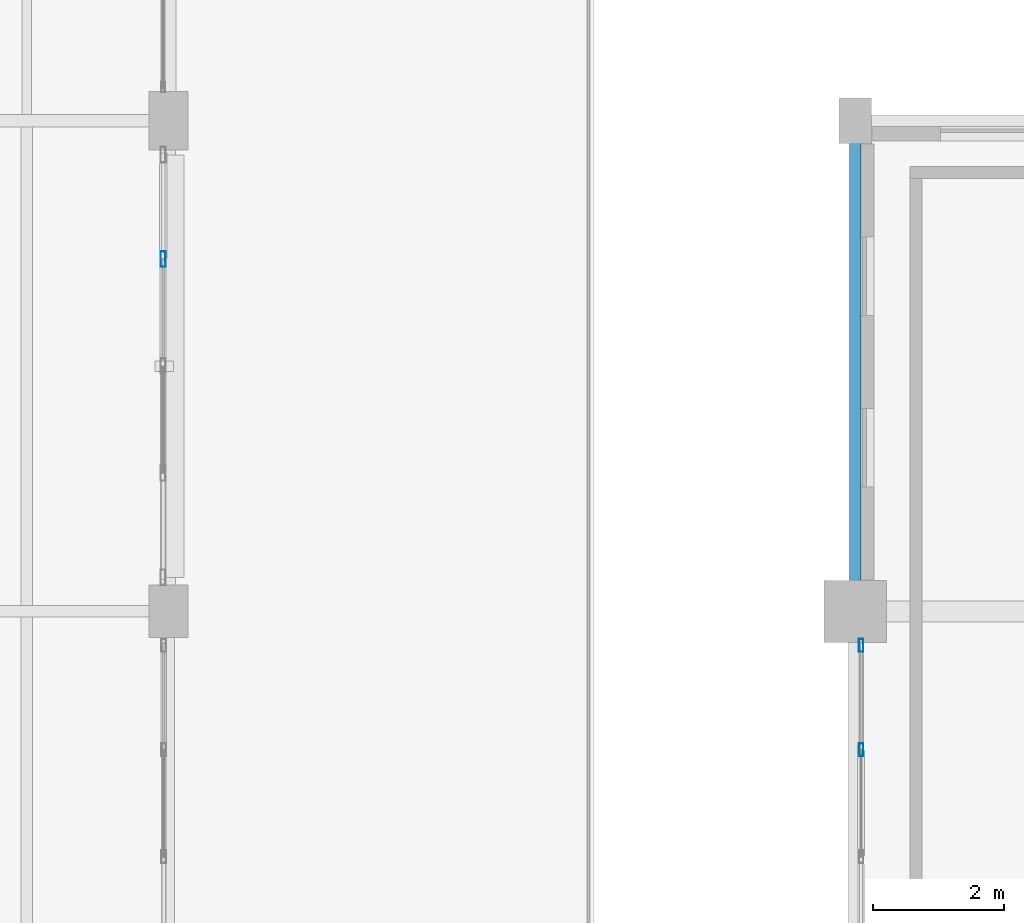
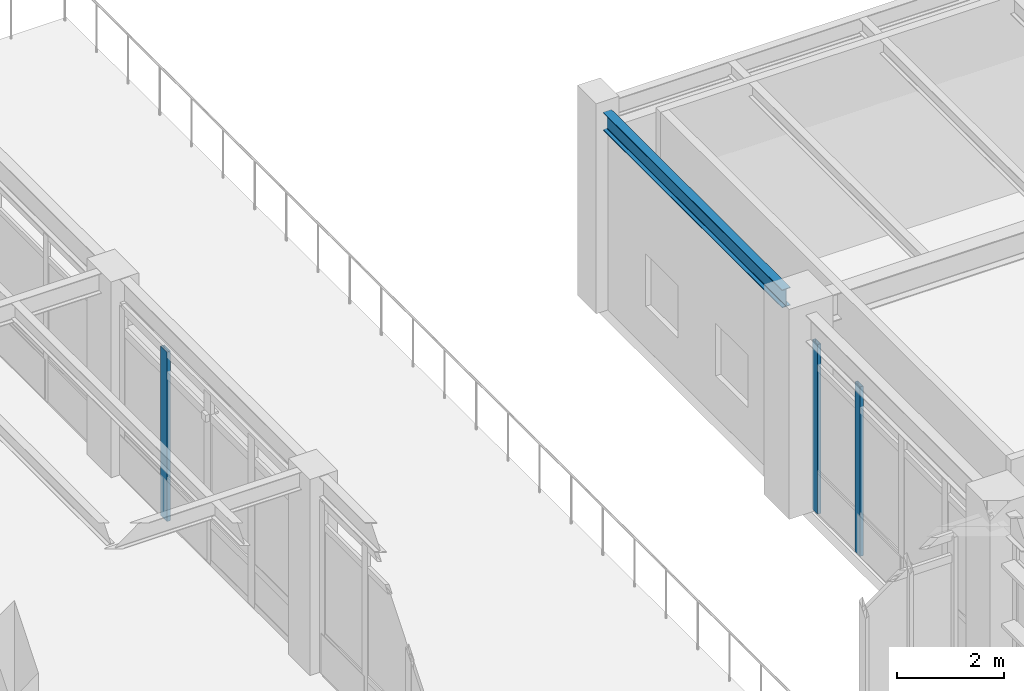
# One storey, part 126 of 200: 3 members, 1 beam, 2 elements without a shape of their own.
"""IFC4 building model written with IfcOpenShell, lengths in metres."""

from ifc_helpers import new_model, si_unit, direction, frame, origin, origin_2d, place, context, subcontext, project, spatial, hollow_rectangle, i_section, extrude, material, material_profile, profile_set, type_object, element, aggregate, save


model = new_model("IFC4")

# Units and contexts
model_context = context("Model", 3, precision=1e-05, world=origin(), true_north=direction((0.0, 1.0)))
body_context = subcontext(model_context, "Body", "Model", "MODEL_VIEW")
ifc_project = project(units=[si_unit("LENGTHUNIT", "METRE"), si_unit("AREAUNIT", "SQUARE_METRE"), si_unit("VOLUMEUNIT", "CUBIC_METRE"), si_unit("PLANEANGLEUNIT", "RADIAN"), si_unit("MASSUNIT", "GRAM", prefix="KILO"), si_unit("THERMODYNAMICTEMPERATUREUNIT", "KELVIN"), si_unit("POWERUNIT", "WATT")], contexts=[model_context])

# Site, building, storey
site_placement = place(None, origin())
site = spatial("IfcSite", under=ifc_project, at=site_placement, CompositionType="ELEMENT")
building_placement = place(site_placement, origin())
building = spatial("IfcBuilding", under=site, at=building_placement, Name="Tepalcoro Natatorium and Aquatics Centre", CompositionType="ELEMENT")
storey_placement = place(building_placement, frame((0.0, 0.0, 5.39990234375)))
storey = spatial("IfcBuildingStorey", under=building, at=storey_placement, Name="L01", CompositionType="ELEMENT", Elevation=5.39990234375)

# Curtain wall, members
ifc_material_1 = material(Name="Bronze-Anodised Extruded Aluminium Alloy EN AW-6063 T6", Category="aluminium")
curtain_wall_type_1 = type_object("IfcCurtainWallType", Name="CW_V1_PLINTH", PredefinedType="USERDEFINED", material=ifc_material_1)
curtain_wall_1_placement = place(storey_placement, origin())
curtain_wall_1 = element("IfcCurtainWall", 1, at=curtain_wall_1_placement, inside=storey, type_object=curtain_wall_type_1, Name="V2 L01 W Unitised Curtain Wall Bay 6", ObjectType="UNITISED STOREFRONT", PredefinedType="USERDEFINED")
ifc_material_profile_1 = material_profile(ifc_material_1, hollow_rectangle(XDim=0.070068359375, YDim=0.199951171875, WallThickness=0.0048828125, at=origin_2d()), Name="AL70X200X5")
ifc_profile_set_1 = profile_set([ifc_material_profile_1], Name="Bronze-Anodised Extruded Aluminium Alloy EN AW-6063 T6")
member_type_1 = type_object("IfcMemberType", Name="CW_MUL_70x200", PredefinedType="MULLION", material=ifc_profile_set_1)
member_1_placement = place(storey_placement, frame((142.090087890625, 49.385009765625, 0.02001953125), z_axis=(0.0, 0.0, 1.0), x_axis=(1.0, 0.0, 0.0)))
member_1 = element("IfcMember", 2, at=member_1_placement, type_object=member_type_1, Name="CW_V1_PLINTH Curtain Wall Mullion", PredefinedType="MULLION", context=body_context, shape_type="SweptSolid", body=[
    extrude(hollow_rectangle(XDim=0.070068359375, YDim=0.199951171875, WallThickness=0.0048828125, at=origin_2d()), origin(), (0.0, 0.0, 1.0), 3.878173828125),
])
member_2_placement = place(storey_placement, frame((142.090087890625, 50.97998046875, 0.02001953125), z_axis=(0.0, 0.0, 1.0), x_axis=(1.0, 0.0, 0.0)))
member_2 = element("IfcMember", 3, at=member_2_placement, type_object=member_type_1, Name="CW_V1_PLINTH Curtain Wall Mullion", PredefinedType="MULLION", context=body_context, shape_type="SweptSolid", body=[
    extrude(hollow_rectangle(XDim=0.070068359375, YDim=0.199951171875, WallThickness=0.0048828125, at=origin_2d()), origin(), (0.0, 0.0, 1.0), 3.878173828125),
])
aggregate(curtain_wall_1, [member_1, member_2])

# Curtain wall, member
curtain_wall_type_2 = type_object("IfcCurtainWallType", Name="CW_V4_VILLAGE", PredefinedType="USERDEFINED", material=ifc_material_1)
curtain_wall_2_placement = place(storey_placement, origin())
curtain_wall_2 = element("IfcCurtainWall", 4, at=curtain_wall_2_placement, inside=storey, type_object=curtain_wall_type_2, Name="V1 L01 E Unitised Curtain Wall Bay 7", ObjectType="UNITISED STOREFRONT", PredefinedType="USERDEFINED")
ifc_material_profile_2 = material_profile(ifc_material_1, hollow_rectangle(XDim=0.080078125, YDim=0.239990234375, WallThickness=0.0048828125, at=origin_2d()), Name="AL80X240X5")
ifc_profile_set_2 = profile_set([ifc_material_profile_2], Name="Bronze-Anodised Extruded Aluminium Alloy EN AW-6063 T6")
member_type_2 = type_object("IfcMemberType", Name="CW_MUL_80x240", PredefinedType="MULLION", material=ifc_profile_set_2)
member_3_placement = place(storey_placement, frame((131.419921875, 56.885009765625, 0.02001953125), z_axis=(0.0, 0.0, 1.0), x_axis=(1.0, 0.0, 0.0)))
member_3 = element("IfcMember", 5, at=member_3_placement, type_object=member_type_2, Name="CW_V4_VILLAGE Curtain Wall Mullion", PredefinedType="MULLION", context=body_context, shape_type="SweptSolid", body=[
    extrude(hollow_rectangle(XDim=0.080078125, YDim=0.239990234375, WallThickness=0.0048828125, at=origin_2d()), origin(), (0.0, 0.0, 1.0), 3.8740234375),
])
aggregate(curtain_wall_2, [member_3])

# Beam
ifc_material_2 = material(Name="Steel ASTM A992 Grade 50 (Fy 345 MPa)", Category="steel")
ifc_material_profile_3 = material_profile(ifc_material_2, i_section(OverallWidth=0.179931640625, OverallDepth=0.4130859375, WebThickness=0.010009765625, FlangeThickness=0.01611328125, FilletRadius=0.013916015625, at=origin_2d()), Name="W16X50")
ifc_profile_set_3 = profile_set([ifc_material_profile_3], Name="Steel ASTM A992 Grade 50 (Fy 345 MPa)")
beam_type = type_object("IfcBeamType", Name="SP_HSS300x200x12", PredefinedType="SPANDREL", material=ifc_profile_set_3)
beam_placement = place(storey_placement, frame((142.0, 51.9599609375, 4.338623046875), z_axis=(0.0, 1.0, 0.0), x_axis=(-1.0, 0.0, 0.0)))
element("IfcBeam", 6, at=beam_placement, inside=storey, type_object=beam_type, Name="V2 L01 Grid Girder Y", PredefinedType="SPANDREL", context=body_context, shape_type="SweptSolid", body=[
    extrude(i_section(OverallWidth=0.179931640625, OverallDepth=0.4130859375, WebThickness=0.010009765625, FlangeThickness=0.01611328125, FilletRadius=0.013916015625, at=origin_2d()), origin(), (0.0, 0.0, 1.0), 6.705078125),
])

save(model, "model.ifc")
